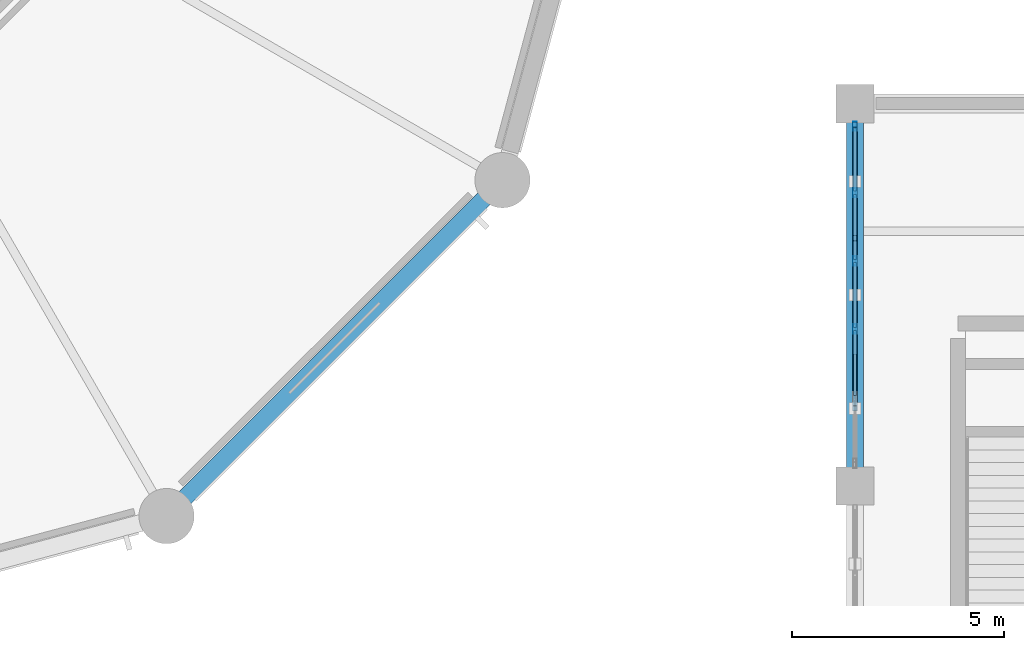
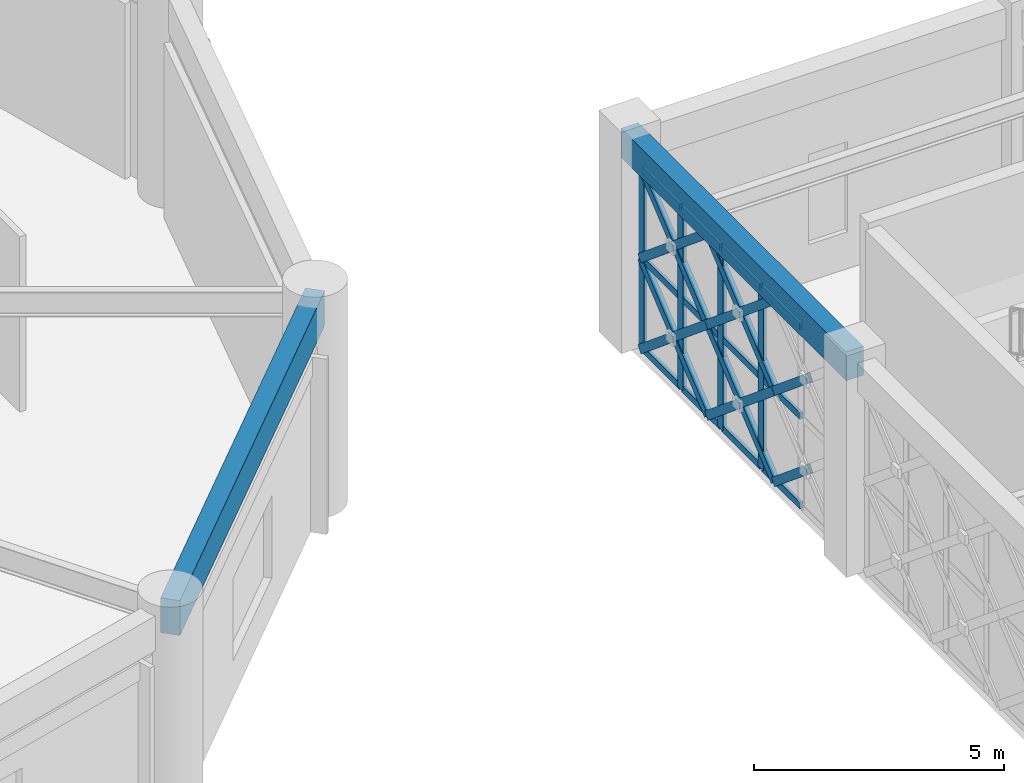
# One storey, part 50 of 166: 30 members, 2 beams, 1 element without a shape of its own.
"""IFC4 building model written with IfcOpenShell, lengths in metres."""

from ifc_helpers import new_model, si_unit, direction, frame, origin, origin_2d, place, context, subcontext, project, spatial, rectangle, hollow_rectangle, extrude, material, material_profile, profile_set, type_object, element, aggregate, save


model = new_model("IFC4")

# Units and contexts
model_context = context("Model", 3, precision=1e-05, world=origin(), true_north=direction((0.0, 1.0)))
body_context = subcontext(model_context, "Body", "Model", "MODEL_VIEW")
ifc_project = project(units=[si_unit("LENGTHUNIT", "METRE"), si_unit("AREAUNIT", "SQUARE_METRE"), si_unit("VOLUMEUNIT", "CUBIC_METRE"), si_unit("PLANEANGLEUNIT", "RADIAN"), si_unit("MASSUNIT", "GRAM", prefix="KILO")], contexts=[model_context])

# Site, building, storey
site_placement = place(None, origin())
site = spatial("IfcSite", under=ifc_project, at=site_placement, CompositionType="ELEMENT")
building_placement = place(site_placement, origin())
building = spatial("IfcBuilding", under=site, at=building_placement, Name="Haizhuo Lancet Aquarium", CompositionType="ELEMENT")
storey_placement = place(building_placement, frame((0.0, 0.0, 5.39990234375)))
storey = spatial("IfcBuildingStorey", under=building, at=storey_placement, Name="L01", CompositionType="ELEMENT", Elevation=5.39990234375)

# Beam
ifc_material_1 = material(Name="Concrete C40/50", Category="concrete")
ifc_material_profile_1 = material_profile(ifc_material_1, rectangle(XDim=0.39990234375, YDim=0.699951171875, at=origin_2d()), Name="RC-BM 400x700")
ifc_profile_set_1 = profile_set([ifc_material_profile_1], Name="Concrete C40/50")
beam_type_1 = type_object("IfcBeamType", Name="BM-RC-400x700", PredefinedType="BEAM", material=ifc_profile_set_1)
beam_1_placement = place(storey_placement, frame((27.0, -18.0, 4.7900390625), z_axis=(0.0, 1.0, 0.0), x_axis=(-1.0, 0.0, 0.0)))
element("IfcBeam", 1, at=beam_1_placement, inside=storey, type_object=beam_type_1, Name="L01 V3 primary girder BM-L01-V3-005", PredefinedType="BEAM", context=body_context, shape_type="SweptSolid", body=[
    extrude(rectangle(XDim=0.39990234375, YDim=0.699951171875, at=origin_2d()), origin(), (0.0, 0.0, 1.0), 9.0),
])

# Curtain wall, members
ifc_material_2 = material(Name="Aluminium 6063-T6", Category="aluminium")
curtain_wall_type = type_object("IfcCurtainWallType", Name="CWO-8010x4440", PredefinedType="NOTDEFINED", material=ifc_material_2)
curtain_wall_placement = place(storey_placement, origin())
curtain_wall = element("IfcCurtainWall", 2, at=curtain_wall_placement, inside=storey, type_object=curtain_wall_type, Name="L01 curtain wall CW-V3-L01-050", PredefinedType="NOTDEFINED")
ifc_material_profile_2 = material_profile(ifc_material_2, hollow_rectangle(XDim=0.074951171875, YDim=0.219970703125, WallThickness=0.0048828125, at=origin_2d()), Name="ALU-M 75x220x5")
ifc_profile_set_2 = profile_set([ifc_material_profile_2], Name="Aluminium 6063-T6")
member_type_1 = type_object("IfcMemberType", Name="CW-MUL-2", PredefinedType="MULLION", material=ifc_profile_set_2)
member_1_placement = place(storey_placement, frame((27.0, -14.301025390625, 0.0), z_axis=(0.0, 0.0, 1.0), x_axis=(-1.0, 0.0, 0.0)))
member_1 = element("IfcMember", 3, at=member_1_placement, type_object=member_type_1, Name="CWO-80x44 mullion 3", PredefinedType="MULLION", context=body_context, shape_type="SweptSolid", body=[
    extrude(hollow_rectangle(XDim=0.074951171875, YDim=0.219970703125, WallThickness=0.0048828125, at=origin_2d()), origin(), (0.0, 0.0, 1.0), 4.440185546875),
])
member_2_placement = place(storey_placement, frame((27.0, -12.698974609375, 0.0), z_axis=(0.0, 0.0, 1.0), x_axis=(-1.0, 0.0, 0.0)))
member_2 = element("IfcMember", 4, at=member_2_placement, type_object=member_type_1, Name="CWO-80x44 mullion 4", PredefinedType="MULLION", context=body_context, shape_type="SweptSolid", body=[
    extrude(hollow_rectangle(XDim=0.074951171875, YDim=0.219970703125, WallThickness=0.0048828125, at=origin_2d()), origin(), (0.0, 0.0, 1.0), 4.440185546875),
])
member_3_placement = place(storey_placement, frame((27.0, -11.096923828125, 0.0), z_axis=(0.0, 0.0, 1.0), x_axis=(-1.0, 0.0, 0.0)))
member_3 = element("IfcMember", 5, at=member_3_placement, type_object=member_type_1, Name="CWO-80x44 mullion 5", PredefinedType="MULLION", context=body_context, shape_type="SweptSolid", body=[
    extrude(hollow_rectangle(XDim=0.074951171875, YDim=0.219970703125, WallThickness=0.0048828125, at=origin_2d()), origin(), (0.0, 0.0, 1.0), 4.440185546875),
])
member_4_placement = place(storey_placement, frame((27.0, -9.531982421875, 0.0), z_axis=(0.0, 0.0, 1.0), x_axis=(-1.0, 0.0, 0.0)))
member_4 = element("IfcMember", 6, at=member_4_placement, type_object=member_type_1, Name="CWO-80x44 mullion 6", PredefinedType="MULLION", context=body_context, shape_type="SweptSolid", body=[
    extrude(hollow_rectangle(XDim=0.074951171875, YDim=0.219970703125, WallThickness=0.0048828125, at=origin_2d()), origin(), (0.0, 0.0, 1.0), 4.440185546875),
])
ifc_material_profile_3 = material_profile(ifc_material_2, hollow_rectangle(XDim=0.074951171875, YDim=0.159912109375, WallThickness=0.00390625, at=origin_2d()), Name="ALU-T 75x160x4")
ifc_profile_set_3 = profile_set([ifc_material_profile_3], Name="Aluminium 6063-T6")
member_type_2 = type_object("IfcMemberType", Name="CW-TRN-2", PredefinedType="NOTDEFINED", material=ifc_profile_set_3)
member_5_placement = place(storey_placement, frame((27.0, -15.864990234375, 0.0380859375), z_axis=(0.0, 1.0, 0.0), x_axis=(-1.0, 0.0, 0.0)))
member_5 = element("IfcMember", 7, at=member_5_placement, type_object=member_type_2, Name="CWO-80x44 transom 2.1", ObjectType="TRANSOM", PredefinedType="USERDEFINED", context=body_context, shape_type="SweptSolid", body=[
    extrude(hollow_rectangle(XDim=0.074951171875, YDim=0.159912109375, WallThickness=0.00390625, at=origin_2d()), origin(), (0.0, 0.0, 1.0), 1.527099609375),
])
member_6_placement = place(storey_placement, frame((27.0, -15.864990234375, 2.22021484375), z_axis=(0.0, 1.0, 0.0), x_axis=(-1.0, 0.0, 0.0)))
member_6 = element("IfcMember", 8, at=member_6_placement, type_object=member_type_2, Name="CWO-80x44 transom 2.2", ObjectType="TRANSOM", PredefinedType="USERDEFINED", context=body_context, shape_type="SweptSolid", body=[
    extrude(hollow_rectangle(XDim=0.074951171875, YDim=0.159912109375, WallThickness=0.00390625, at=origin_2d()), origin(), (0.0, 0.0, 1.0), 1.527099609375),
])
member_7_placement = place(storey_placement, frame((27.0, -15.864990234375, 4.403076171875), z_axis=(0.0, 1.0, 0.0), x_axis=(-1.0, 0.0, 0.0)))
member_7 = element("IfcMember", 9, at=member_7_placement, type_object=member_type_2, Name="CWO-80x44 transom 2.3", ObjectType="TRANSOM", PredefinedType="USERDEFINED", context=body_context, shape_type="SweptSolid", body=[
    extrude(hollow_rectangle(XDim=0.074951171875, YDim=0.159912109375, WallThickness=0.00390625, at=origin_2d()), origin(), (0.0, 0.0, 1.0), 1.527099609375),
])
member_8_placement = place(storey_placement, frame((27.0, -14.262939453125, 0.0380859375), z_axis=(0.0, 1.0, 0.0), x_axis=(-1.0, 0.0, 0.0)))
member_8 = element("IfcMember", 10, at=member_8_placement, type_object=member_type_2, Name="CWO-80x44 transom 3.1", ObjectType="TRANSOM", PredefinedType="USERDEFINED", context=body_context, shape_type="SweptSolid", body=[
    extrude(hollow_rectangle(XDim=0.074951171875, YDim=0.159912109375, WallThickness=0.00390625, at=origin_2d()), origin(), (0.0, 0.0, 1.0), 1.52685546875),
])
member_9_placement = place(storey_placement, frame((27.0, -14.262939453125, 2.22021484375), z_axis=(0.0, 1.0, 0.0), x_axis=(-1.0, 0.0, 0.0)))
member_9 = element("IfcMember", 11, at=member_9_placement, type_object=member_type_2, Name="CWO-80x44 transom 3.2", ObjectType="TRANSOM", PredefinedType="USERDEFINED", context=body_context, shape_type="SweptSolid", body=[
    extrude(hollow_rectangle(XDim=0.074951171875, YDim=0.159912109375, WallThickness=0.00390625, at=origin_2d()), origin(), (0.0, 0.0, 1.0), 1.52685546875),
])
member_10_placement = place(storey_placement, frame((27.0, -14.262939453125, 4.403076171875), z_axis=(0.0, 1.0, 0.0), x_axis=(-1.0, 0.0, 0.0)))
member_10 = element("IfcMember", 12, at=member_10_placement, type_object=member_type_2, Name="CWO-80x44 transom 3.3", ObjectType="TRANSOM", PredefinedType="USERDEFINED", context=body_context, shape_type="SweptSolid", body=[
    extrude(hollow_rectangle(XDim=0.074951171875, YDim=0.159912109375, WallThickness=0.00390625, at=origin_2d()), origin(), (0.0, 0.0, 1.0), 1.52685546875),
])
member_11_placement = place(storey_placement, frame((27.0, -12.662109375, 0.0380859375), z_axis=(0.0, 1.0, 0.0), x_axis=(-1.0, 0.0, 0.0)))
member_11 = element("IfcMember", 13, at=member_11_placement, type_object=member_type_2, Name="CWO-80x44 transom 4.1", ObjectType="TRANSOM", PredefinedType="USERDEFINED", context=body_context, shape_type="SweptSolid", body=[
    extrude(hollow_rectangle(XDim=0.074951171875, YDim=0.159912109375, WallThickness=0.00390625, at=origin_2d()), origin(), (0.0, 0.0, 1.0), 1.528076171875),
])
member_12_placement = place(storey_placement, frame((27.0, -12.662109375, 2.22021484375), z_axis=(0.0, 1.0, 0.0), x_axis=(-1.0, 0.0, 0.0)))
member_12 = element("IfcMember", 14, at=member_12_placement, type_object=member_type_2, Name="CWO-80x44 transom 4.2", ObjectType="TRANSOM", PredefinedType="USERDEFINED", context=body_context, shape_type="SweptSolid", body=[
    extrude(hollow_rectangle(XDim=0.074951171875, YDim=0.159912109375, WallThickness=0.00390625, at=origin_2d()), origin(), (0.0, 0.0, 1.0), 1.528076171875),
])
member_13_placement = place(storey_placement, frame((27.0, -12.662109375, 4.403076171875), z_axis=(0.0, 1.0, 0.0), x_axis=(-1.0, 0.0, 0.0)))
member_13 = element("IfcMember", 15, at=member_13_placement, type_object=member_type_2, Name="CWO-80x44 transom 4.3", ObjectType="TRANSOM", PredefinedType="USERDEFINED", context=body_context, shape_type="SweptSolid", body=[
    extrude(hollow_rectangle(XDim=0.074951171875, YDim=0.159912109375, WallThickness=0.00390625, at=origin_2d()), origin(), (0.0, 0.0, 1.0), 1.528076171875),
])
member_14_placement = place(storey_placement, frame((27.0, -11.05908203125, 0.0380859375), z_axis=(0.0, 1.0, 0.0), x_axis=(-1.0, 0.0, 0.0)))
member_14 = element("IfcMember", 16, at=member_14_placement, type_object=member_type_2, Name="CWO-80x44 transom 5.1", ObjectType="TRANSOM", PredefinedType="USERDEFINED", context=body_context, shape_type="SweptSolid", body=[
    extrude(hollow_rectangle(XDim=0.074951171875, YDim=0.159912109375, WallThickness=0.00390625, at=origin_2d()), origin(), (0.0, 0.0, 1.0), 1.489013671875),
])
member_15_placement = place(storey_placement, frame((27.0, -11.05908203125, 2.22021484375), z_axis=(0.0, 1.0, 0.0), x_axis=(-1.0, 0.0, 0.0)))
member_15 = element("IfcMember", 17, at=member_15_placement, type_object=member_type_2, Name="CWO-80x44 transom 5.2", ObjectType="TRANSOM", PredefinedType="USERDEFINED", context=body_context, shape_type="SweptSolid", body=[
    extrude(hollow_rectangle(XDim=0.074951171875, YDim=0.159912109375, WallThickness=0.00390625, at=origin_2d()), origin(), (0.0, 0.0, 1.0), 1.489013671875),
])
member_16_placement = place(storey_placement, frame((27.0, -11.05908203125, 4.403076171875), z_axis=(0.0, 1.0, 0.0), x_axis=(-1.0, 0.0, 0.0)))
member_16 = element("IfcMember", 18, at=member_16_placement, type_object=member_type_2, Name="CWO-80x44 transom 5.3", ObjectType="TRANSOM", PredefinedType="USERDEFINED", context=body_context, shape_type="SweptSolid", body=[
    extrude(hollow_rectangle(XDim=0.074951171875, YDim=0.159912109375, WallThickness=0.00390625, at=origin_2d()), origin(), (0.0, 0.0, 1.0), 1.489013671875),
])
aggregate(curtain_wall, [member_1, member_2, member_3, member_4, member_5, member_6, member_7, member_8, member_9, member_10, member_11, member_12, member_13, member_14, member_15, member_16])

# Members
ifc_material_3 = material(Name="Steel S355", Category="steel")
ifc_material_profile_4 = material_profile(ifc_material_3, hollow_rectangle(XDim=0.1201171875, YDim=0.199951171875, WallThickness=0.008056640625, at=origin_2d()), Name="RHS 120x200x8")
ifc_profile_set_4 = profile_set([ifc_material_profile_4], Name="Steel S355")
member_type_3 = type_object("IfcMemberType", Name="MEM-LB-RHS120x200", PredefinedType="BRACE", material=ifc_profile_set_4)
member_17_placement = place(storey_placement, frame((27.0, -14.8349609375, 0.0), z_axis=(0.0, -0.768889363983, 0.63938184675), x_axis=(1.0, 0.0, 0.0)))
element("IfcMember", 19, at=member_17_placement, inside=storey, type_object=member_type_3, Name="Gothic lancet split diagonal brace CW-V3-L01-050 1B1", PredefinedType="BRACE", context=body_context, shape_type="SweptSolid", body=[
    extrude(hollow_rectangle(XDim=0.1201171875, YDim=0.199951171875, WallThickness=0.008056640625, at=origin_2d()), origin(), (0.0, 0.0, 1.0), 1.736328125),
])
member_18_placement = place(storey_placement, frame((27.0, -14.8349609375, 2.22021484375), z_axis=(0.0, -0.768958494581, 0.639298704529), x_axis=(1.0, 0.0, 0.0)))
element("IfcMember", 20, at=member_18_placement, inside=storey, type_object=member_type_3, Name="Gothic lancet split diagonal brace CW-V3-L01-050 2B1", PredefinedType="BRACE", context=body_context, shape_type="SweptSolid", body=[
    extrude(hollow_rectangle(XDim=0.1201171875, YDim=0.199951171875, WallThickness=0.008056640625, at=origin_2d()), origin(), (0.0, 0.0, 1.0), 1.736083984375),
])
member_19_placement = place(storey_placement, frame((27.0, -14.8349609375, 0.0), z_axis=(0.0, 0.768889363983, 0.63938184675), x_axis=(-1.0, 0.0, 0.0)))
element("IfcMember", 21, at=member_19_placement, inside=storey, type_object=member_type_3, Name="Gothic lancet continuous diagonal brace CW-V3-L01-050 3A", PredefinedType="BRACE", context=body_context, shape_type="SweptSolid", body=[
    extrude(hollow_rectangle(XDim=0.1201171875, YDim=0.199951171875, WallThickness=0.008056640625, at=origin_2d()), origin(), (0.0, 0.0, 1.0), 3.472412109375),
])
for number, where, z_axis, x_axis, name in (
    (22, (27.0, -12.1650390625, 0.0), (0.0, -0.768889363983, 0.63938184675), (1.0, 0.0, 0.0), "Gothic lancet split diagonal brace CW-V3-L01-050 3B1"),
    (23, (27.0, -13.5, 1.110107421875), (0.0, -0.768889363983, 0.63938184675), (1.0, 0.0, 0.0), "Gothic lancet split diagonal brace CW-V3-L01-050 3B2"),
):
    element("IfcMember", number, at=place(storey_placement, frame(where, z_axis=z_axis, x_axis=x_axis)), inside=storey, type_object=member_type_3, Name=name, PredefinedType="BRACE", context=body_context, shape_type="SweptSolid", body=[
        extrude(hollow_rectangle(XDim=0.1201171875, YDim=0.199951171875, WallThickness=0.008056640625, at=origin_2d()), origin(), (0.0, 0.0, 1.0), 1.736328125),
    ])
member_20_placement = place(storey_placement, frame((27.0, -14.8349609375, 2.22021484375), z_axis=(0.0, 0.768923928852, 0.639340278443), x_axis=(-1.0, 0.0, 0.0)))
element("IfcMember", 24, at=member_20_placement, inside=storey, type_object=member_type_3, Name="Gothic lancet continuous diagonal brace CW-V3-L01-050 4A", PredefinedType="BRACE", context=body_context, shape_type="SweptSolid", body=[
    extrude(hollow_rectangle(XDim=0.1201171875, YDim=0.199951171875, WallThickness=0.008056640625, at=origin_2d()), origin(), (0.0, 0.0, 1.0), 3.47216796875),
])
member_21_placement = place(storey_placement, frame((27.0, -12.1650390625, 2.22021484375), z_axis=(0.0, -0.768958494581, 0.639298704529), x_axis=(1.0, 0.0, 0.0)))
element("IfcMember", 25, at=member_21_placement, inside=storey, type_object=member_type_3, Name="Gothic lancet split diagonal brace CW-V3-L01-050 4B1", PredefinedType="BRACE", context=body_context, shape_type="SweptSolid", body=[
    extrude(hollow_rectangle(XDim=0.1201171875, YDim=0.199951171875, WallThickness=0.008056640625, at=origin_2d()), origin(), (0.0, 0.0, 1.0), 1.736083984375),
])
member_22_placement = place(storey_placement, frame((27.0, -13.5, 3.330078125), z_axis=(0.0, -0.768889363983, 0.63938184675), x_axis=(1.0, 0.0, 0.0)))
element("IfcMember", 26, at=member_22_placement, inside=storey, type_object=member_type_3, Name="Gothic lancet split diagonal brace CW-V3-L01-050 4B2", PredefinedType="BRACE", context=body_context, shape_type="SweptSolid", body=[
    extrude(hollow_rectangle(XDim=0.1201171875, YDim=0.199951171875, WallThickness=0.008056640625, at=origin_2d()), origin(), (0.0, 0.0, 1.0), 1.736328125),
])
member_23_placement = place(storey_placement, frame((27.0, -12.1650390625, 0.0), z_axis=(0.0, 0.768889363983, 0.63938184675), x_axis=(-1.0, 0.0, 0.0)))
element("IfcMember", 27, at=member_23_placement, inside=storey, type_object=member_type_3, Name="Gothic lancet continuous diagonal brace CW-V3-L01-050 5A", PredefinedType="BRACE", context=body_context, shape_type="SweptSolid", body=[
    extrude(hollow_rectangle(XDim=0.1201171875, YDim=0.199951171875, WallThickness=0.008056640625, at=origin_2d()), origin(), (0.0, 0.0, 1.0), 3.472412109375),
])
for number, where, z_axis, x_axis, name in (
    (28, (27.0, -9.4951171875, 0.0), (0.0, -0.768889363983, 0.63938184675), (1.0, 0.0, 0.0), "Gothic lancet split diagonal brace CW-V3-L01-050 5B1"),
    (29, (27.0, -10.830078125, 1.110107421875), (0.0, -0.768889363983, 0.63938184675), (1.0, 0.0, 0.0), "Gothic lancet split diagonal brace CW-V3-L01-050 5B2"),
):
    element("IfcMember", number, at=place(storey_placement, frame(where, z_axis=z_axis, x_axis=x_axis)), inside=storey, type_object=member_type_3, Name=name, PredefinedType="BRACE", context=body_context, shape_type="SweptSolid", body=[
        extrude(hollow_rectangle(XDim=0.1201171875, YDim=0.199951171875, WallThickness=0.008056640625, at=origin_2d()), origin(), (0.0, 0.0, 1.0), 1.736328125),
    ])
member_24_placement = place(storey_placement, frame((27.0, -12.1650390625, 2.22021484375), z_axis=(0.0, 0.768923928852, 0.639340278443), x_axis=(-1.0, 0.0, 0.0)))
element("IfcMember", 30, at=member_24_placement, inside=storey, type_object=member_type_3, Name="Gothic lancet continuous diagonal brace CW-V3-L01-050 6A", PredefinedType="BRACE", context=body_context, shape_type="SweptSolid", body=[
    extrude(hollow_rectangle(XDim=0.1201171875, YDim=0.199951171875, WallThickness=0.008056640625, at=origin_2d()), origin(), (0.0, 0.0, 1.0), 3.47216796875),
])
member_25_placement = place(storey_placement, frame((27.0, -9.4951171875, 2.22021484375), z_axis=(0.0, -0.768958494581, 0.639298704529), x_axis=(1.0, 0.0, 0.0)))
element("IfcMember", 31, at=member_25_placement, inside=storey, type_object=member_type_3, Name="Gothic lancet split diagonal brace CW-V3-L01-050 6B1", PredefinedType="BRACE", context=body_context, shape_type="SweptSolid", body=[
    extrude(hollow_rectangle(XDim=0.1201171875, YDim=0.199951171875, WallThickness=0.008056640625, at=origin_2d()), origin(), (0.0, 0.0, 1.0), 1.736083984375),
])
member_26_placement = place(storey_placement, frame((27.0, -10.830078125, 3.330078125), z_axis=(0.0, -0.768889363983, 0.63938184675), x_axis=(1.0, 0.0, 0.0)))
element("IfcMember", 32, at=member_26_placement, inside=storey, type_object=member_type_3, Name="Gothic lancet split diagonal brace CW-V3-L01-050 6B2", PredefinedType="BRACE", context=body_context, shape_type="SweptSolid", body=[
    extrude(hollow_rectangle(XDim=0.1201171875, YDim=0.199951171875, WallThickness=0.008056640625, at=origin_2d()), origin(), (0.0, 0.0, 1.0), 1.736328125),
])

# Beam
ifc_material_profile_5 = material_profile(ifc_material_1, rectangle(XDim=0.39990234375, YDim=0.85009765625, at=origin_2d()), Name="RC-SP 400x850")
ifc_profile_set_5 = profile_set([ifc_material_profile_5], Name="Concrete C40/50")
beam_type_2 = type_object("IfcBeamType", Name="SPN-RC-400x850", PredefinedType="SPANDREL", material=ifc_profile_set_5)
beam_2_placement = place(storey_placement, frame((10.800048828125, -18.7060546875, 4.715087890625), z_axis=(0.707106781187, 0.707106781187, 0.0), x_axis=(-0.707106781187, 0.707106781187, 0.0)))
element("IfcBeam", 33, at=beam_2_placement, inside=storey, type_object=beam_type_2, Name="L01 drum perimeter spandrel 11", PredefinedType="SPANDREL", context=body_context, shape_type="SweptSolid", body=[
    extrude(rectangle(XDim=0.39990234375, YDim=0.85009765625, at=origin_2d()), origin(), (0.0, 0.0, 1.0), 11.1806640625),
])

save(model, "model.ifc")
